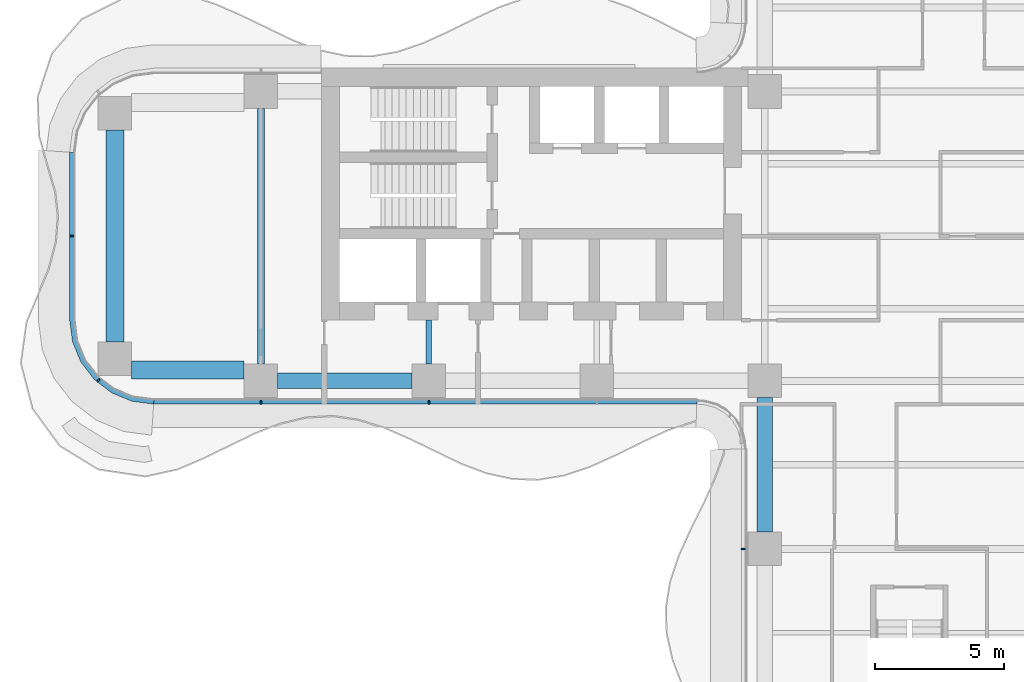
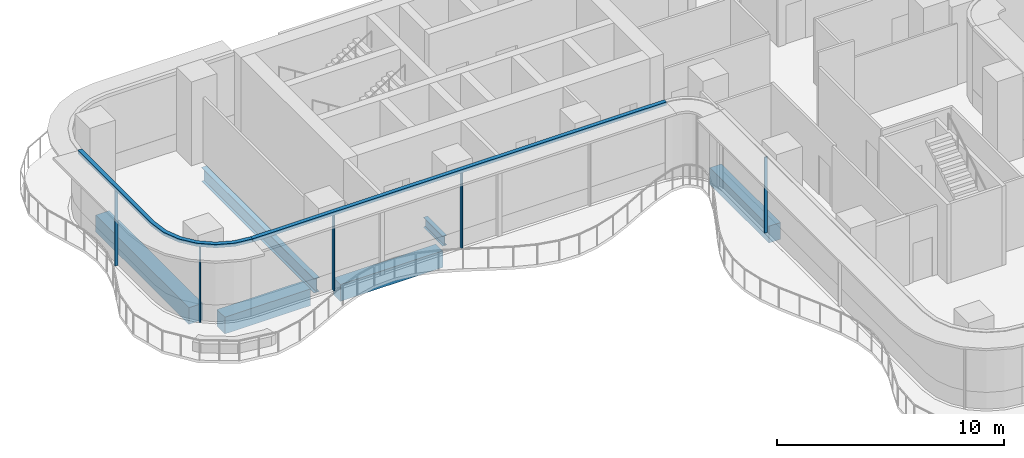
# One storey, part 3 of 21: 7 members, 6 beams, 3 elements without a shape of their own.
"""IFC4 building model written with IfcOpenShell, lengths in metres."""

from ifc_helpers import new_model, si_unit, direction, frame, origin, origin_2d, place, context, subcontext, project, spatial, polyline, rectangle, i_section, outline, extrude, source, transform, mapped, material, layer, layer_set, material_profile, profile_set, type_object, element, aggregate, save


model = new_model("IFC4")

# Units and contexts
model_context = context("Model", 3, precision=1e-05, world=origin(), true_north=direction((0.0, 1.0)))
body_context = subcontext(model_context, "Body", "Model", "MODEL_VIEW")
ifc_project = project(units=[si_unit("LENGTHUNIT", "METRE"), si_unit("AREAUNIT", "SQUARE_METRE"), si_unit("VOLUMEUNIT", "CUBIC_METRE"), si_unit("PLANEANGLEUNIT", "RADIAN"), si_unit("MASSUNIT", "GRAM", prefix="KILO")], contexts=[model_context])

# Site, building, storey
site_placement = place(None, origin())
site = spatial("IfcSite", under=ifc_project, at=site_placement, CompositionType="ELEMENT")
building_placement = place(site_placement, origin())
building = spatial("IfcBuilding", under=site, at=building_placement, Name="Trellis Farm Tower", CompositionType="ELEMENT")
storey_placement = place(building_placement, frame((0.0, 0.0, 106.5)))
storey = spatial("IfcBuildingStorey", under=building, at=storey_placement, Name="L22", CompositionType="ELEMENT", Elevation=106.5)

# Beams
ifc_material_1 = material(Name="Steel S355", Category="steel")
ifc_material_profile_1 = material_profile(ifc_material_1, i_section(OverallWidth=0.2666015625, OverallDepth=0.76220703125, WebThickness=0.014404296875, FlangeThickness=0.021484375, FilletRadius=0.0166015625, at=origin_2d()), Name="UB 762x267x173")
ifc_profile_set_1 = profile_set([ifc_material_profile_1], Name="Steel S355")
beam_type_1 = type_object("IfcBeamType", Name="UB 762x267x173", PredefinedType="BEAM", material=ifc_profile_set_1)
shared_shape_1 = source(origin(), body_context, "Body", "SweptSolid", [
    extrude(i_section(OverallWidth=0.2666015625, OverallDepth=0.76220703125, WebThickness=0.014404296875, FlangeThickness=0.021484375, FilletRadius=0.0166015625, at=origin_2d()), origin(), (0.0, 0.0, 1.0), 9.89990234375),
])
beam_1_placement = place(storey_placement, frame((-25.10009765625, -4.949951171875, -0.631103515625), z_axis=(0.0, 1.0, 0.0), x_axis=(-1.0, 0.0, 0.0)))
element("IfcBeam", 1, at=beam_1_placement, inside=storey, type_object=beam_type_1, Name="Girder", PredefinedType="BEAM", context=body_context, shape_type="MappedRepresentation", body=[
    mapped(shared_shape_1, transform((0.0, 0.0, 0.0))),
])
ifc_material_profile_2 = material_profile(ifc_material_1, i_section(OverallWidth=0.209228515625, OverallDepth=0.533203125, WebThickness=0.010009765625, FlangeThickness=0.015625, FilletRadius=0.0126953125, at=origin_2d()), Name="UB 533x210x92")
ifc_profile_set_2 = profile_set([ifc_material_profile_2], Name="Steel S355")
beam_type_2 = type_object("IfcBeamType", Name="UB 533x210x92", PredefinedType="BEAM", material=ifc_profile_set_2)
shared_shape_2 = source(origin(), body_context, "Body", "SweptSolid", [
    extrude(i_section(OverallWidth=0.209228515625, OverallDepth=0.533203125, WebThickness=0.010009765625, FlangeThickness=0.015625, FilletRadius=0.0126953125, at=origin_2d()), origin(), (0.0, 0.0, 1.0), 1.699951171875),
])
beam_2_placement = place(storey_placement, frame((-18.60009765625, -4.949951171875, -0.5166015625), z_axis=(0.0, 1.0, 0.0), x_axis=(-1.0, 0.0, 0.0)))
element("IfcBeam", 2, at=beam_2_placement, inside=storey, type_object=beam_type_2, Name="Girder", PredefinedType="BEAM", context=body_context, shape_type="MappedRepresentation", body=[
    mapped(shared_shape_2, transform((0.0, 0.0, 0.0))),
])
ifc_material_2 = material(Name="Concrete C60/75", Category="concrete")
ifc_material_profile_3 = material_profile(ifc_material_2, rectangle(XDim=0.60009765625, YDim=0.89990234375, at=origin_2d()), Name="RC spandrel beam 600x900 C60/75")
ifc_profile_set_3 = profile_set([ifc_material_profile_3], Name="Concrete C60/75")
beam_type_3 = type_object("IfcBeamType", Name="RC spandrel beam 600x900 C60/75", PredefinedType="SPANDREL", material=ifc_profile_set_3)
shared_shape_3 = source(origin(), body_context, "Body", "SweptSolid", [
    extrude(rectangle(XDim=0.60009765625, YDim=0.89990234375, at=origin_2d()), origin(), (0.0, 0.0, 1.0), 5.199951171875),
])
for number, where, z_axis, x_axis, name in (
    (3, (-24.449951171875, -5.60009765625, -0.699951171875), (1.0, 0.0, 0.0), (0.0, 1.0, 0.0), "Girder"),
    (4, (-5.60009765625, -11.449951171875, -0.699951171875), (0.0, 1.0, 0.0), (-1.0, 0.0, 0.0), "Girder"),
):
    element("IfcBeam", number, at=place(storey_placement, frame(where, z_axis=z_axis, x_axis=x_axis)), inside=storey, type_object=beam_type_3, Name=name, PredefinedType="SPANDREL", context=body_context, shape_type="MappedRepresentation", body=[
        mapped(shared_shape_3, transform((0.0, 0.0, 0.0))),
    ])
ifc_material_profile_4 = material_profile(ifc_material_2, rectangle(XDim=0.699951171875, YDim=0.89990234375, at=origin_2d()), Name="RC spandrel beam 700x900 C60/75")
ifc_profile_set_4 = profile_set([ifc_material_profile_4], Name="Concrete C60/75")
beam_type_4 = type_object("IfcBeamType", Name="RC spandrel beam 700x900 C60/75", PredefinedType="SPANDREL", material=ifc_profile_set_4)
shared_shape_4 = source(origin(), body_context, "Body", "SweptSolid", [
    extrude(rectangle(XDim=0.699951171875, YDim=0.89990234375, at=origin_2d()), origin(), (0.0, 0.0, 1.0), 4.35009765625),
])
beam_3_placement = place(storey_placement, frame((-30.10009765625, -5.175048828125, -0.699951171875), z_axis=(1.0, 0.0, 0.0), x_axis=(0.0, 1.0, 0.0)))
element("IfcBeam", 5, at=beam_3_placement, inside=storey, type_object=beam_type_4, Name="Girder", PredefinedType="SPANDREL", context=body_context, shape_type="MappedRepresentation", body=[
    mapped(shared_shape_4, transform((0.0, 0.0, 0.0))),
])
shared_shape_5 = source(origin(), body_context, "Body", "SweptSolid", [
    extrude(rectangle(XDim=0.699951171875, YDim=0.89990234375, at=origin_2d()), origin(), (0.0, 0.0, 1.0), 8.2001953125),
])
beam_4_placement = place(storey_placement, frame((-30.75, -4.10009765625, -0.699951171875), z_axis=(0.0, 1.0, 0.0), x_axis=(-1.0, 0.0, 0.0)))
element("IfcBeam", 6, at=beam_4_placement, inside=storey, type_object=beam_type_4, Name="Girder", PredefinedType="SPANDREL", context=body_context, shape_type="MappedRepresentation", body=[
    mapped(shared_shape_5, transform((0.0, 0.0, 0.0))),
])

# Curtain wall, members
ifc_material_3 = material(Name="Aluminium and glass curtain wall", Category="aluminium")
ifc_layer_1 = layer(ifc_material_3, 0.18994140625)
ifc_layer_set_1 = layer_set([ifc_layer_1], Name="RIBBON CURTAIN WALL CW1")
curtain_wall_type = type_object("IfcCurtainWallType", Name="RIBBON CURTAIN WALL CW1", PredefinedType="NOTDEFINED", material=ifc_layer_set_1)
placement_1 = place(storey_placement, origin())
curtain_wall_1 = element("IfcCurtainWall", 7, at=placement_1, inside=storey, type_object=curtain_wall_type, Name="CW1 001", PredefinedType="NOTDEFINED")
ifc_material_4 = material(Name="Aluminium extrusion 6063-T6", Category="aluminium")
ifc_material_profile_5 = material_profile(ifc_material_4, rectangle(XDim=0.06005859375, YDim=0.14990234375, at=origin_2d()), Name="MULLION 60x150")
ifc_profile_set_5 = profile_set([ifc_material_profile_5], Name="Aluminium extrusion 6063-T6")
member_type_1 = type_object("IfcMemberType", Name="CW1 MULLION 60x150", PredefinedType="MULLION", material=ifc_profile_set_5)
shared_shape_6 = source(origin(), body_context, "Body", "SweptSolid", [
    extrude(rectangle(XDim=0.06005859375, YDim=0.14990234375, at=origin_2d()), origin(), (0.0, 0.0, 1.0), 4.070068359375),
])
member_1_placement = place(storey_placement, frame((-25.10009765625, -6.425048828125, 0.0), z_axis=(0.0, 0.0, 1.0), x_axis=(1.0, 0.0, 0.0)))
member_1 = element("IfcMember", 8, at=member_1_placement, type_object=member_type_1, Name="MU1 001-01", PredefinedType="MULLION", context=body_context, shape_type="MappedRepresentation", body=[
    mapped(shared_shape_6, transform((0.0, 0.0, 0.0))),
])
member_2_placement = place(storey_placement, frame((-18.60009765625, -6.425048828125, 0.0), z_axis=(0.0, 0.0, 1.0), x_axis=(1.0, 0.0, 0.0)))
member_2 = element("IfcMember", 9, at=member_2_placement, type_object=member_type_1, Name="MU1 001-02", PredefinedType="MULLION", context=body_context, shape_type="MappedRepresentation", body=[
    mapped(shared_shape_6, transform((0.0, 0.0, 0.0))),
])

# Curtain wall, member
curtain_wall_2 = element("IfcCurtainWall", 10, at=placement_1, inside=storey, type_object=curtain_wall_type, Name="CW1 002", PredefinedType="NOTDEFINED")
member_3_placement = place(storey_placement, frame((-6.425048828125, -12.10009765625, 0.0), z_axis=(0.0, 0.0, 1.0), x_axis=(0.0, -1.0, 0.0)))
member_3 = element("IfcMember", 11, at=member_3_placement, type_object=member_type_1, Name="MU1 002-01", PredefinedType="MULLION", context=body_context, shape_type="MappedRepresentation", body=[
    mapped(shared_shape_6, transform((0.0, 0.0, 0.0))),
])
aggregate(curtain_wall_2, [member_3])

# Curtain wall, members
curtain_wall_3 = element("IfcCurtainWall", 12, at=placement_1, inside=storey, type_object=curtain_wall_type, Name="CW1 013", PredefinedType="NOTDEFINED")
member_4_placement = place(storey_placement, frame((-32.425048828125, 0.0, 0.0), z_axis=(0.0, 0.0, 1.0), x_axis=(0.0, -1.0, 0.0)))
member_4 = element("IfcMember", 13, at=member_4_placement, type_object=member_type_1, Name="MU1 013-01", PredefinedType="MULLION", context=body_context, shape_type="MappedRepresentation", body=[
    mapped(shared_shape_6, transform((0.0, 0.0, 0.0))),
])
member_5_placement = place(storey_placement, frame((-31.385498046875, -5.578369140625, 0.0), z_axis=(0.0, 0.0, 1.0), x_axis=(0.793353340291, -0.608761429009, 0.0)))
member_5 = element("IfcMember", 14, at=member_5_placement, type_object=member_type_1, Name="MU1 013-02", PredefinedType="MULLION", context=body_context, shape_type="MappedRepresentation", body=[
    mapped(shared_shape_6, transform((0.0, 0.0, 0.0))),
])

# Member
ifc_layer_2 = layer(ifc_material_4, 0.199951171875)
ifc_layer_set_2 = layer_set([ifc_layer_2], Name="Aluminium extrusion 6063-T6")
member_type_2 = type_object("IfcMemberType", Name="CW1 TRANSOM 200x180", PredefinedType="USERDEFINED", material=ifc_layer_set_2)
shared_shape_7 = source(origin(), body_context, "Body", "SweptSolid", [
    extrude(outline(polyline([(-29.25, -6.5), (-8.2314453125, -6.5), (-8.224853515625, -6.300048828125), (-29.23681640625, -6.300048828125), (-29.25, -6.5)])), origin(), (0.0, 0.0, 1.0), 0.179931640625),
])
placement_2 = place(storey_placement, frame((0.0, 0.0, 4.070068359375)))
member_6 = element("IfcMember", 15, at=placement_2, type_object=member_type_2, Name="TR1 001", ObjectType="TRANSOM", PredefinedType="USERDEFINED", context=body_context, shape_type="MappedRepresentation", body=[
    mapped(shared_shape_7, transform((0.0, 0.0, 0.0))),
])

aggregate(curtain_wall_1, [member_1, member_2, member_6])

shared_shape_8 = source(origin(), body_context, "Body", "SweptSolid", [
    extrude(outline(polyline([(-32.5, 3.25), (-32.5, -3.25), (-32.38916015625, -4.091064453125), (-32.064697265625, -4.875), (-31.548095703125, -5.548095703125), (-30.875, -6.064697265625), (-30.091064453125, -6.38916015625), (-29.25, -6.5), (-29.23681640625, -6.300048828125), (-30.0390625, -6.1943359375), (-30.774169921875, -5.889892578125), (-31.405517578125, -5.405517578125), (-31.889892578125, -4.774169921875), (-32.1943359375, -4.0390625), (-32.300048828125, -3.23681640625), (-32.300048828125, 3.23681640625), (-32.5, 3.25)])), origin(), (0.0, 0.0, 1.0), 0.179931640625),
])
member_7 = element("IfcMember", 16, at=placement_2, type_object=member_type_2, Name="TR1 013", ObjectType="TRANSOM", PredefinedType="USERDEFINED", context=body_context, shape_type="MappedRepresentation", body=[
    mapped(shared_shape_8, transform((0.0, 0.0, 0.0))),
])

aggregate(curtain_wall_3, [member_4, member_5, member_7])

save(model, "model.ifc")
